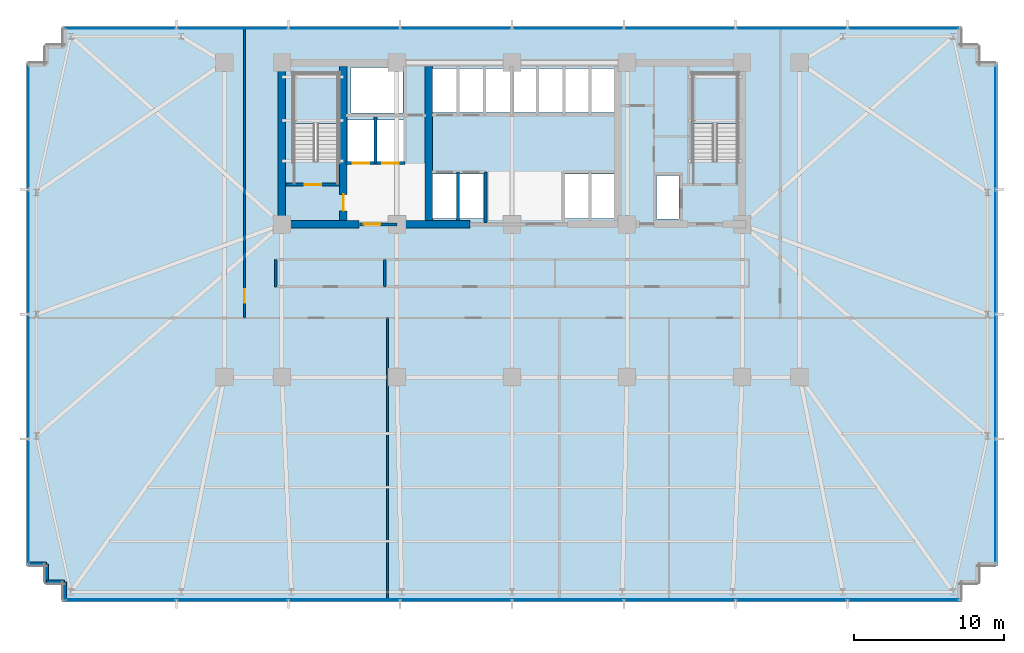
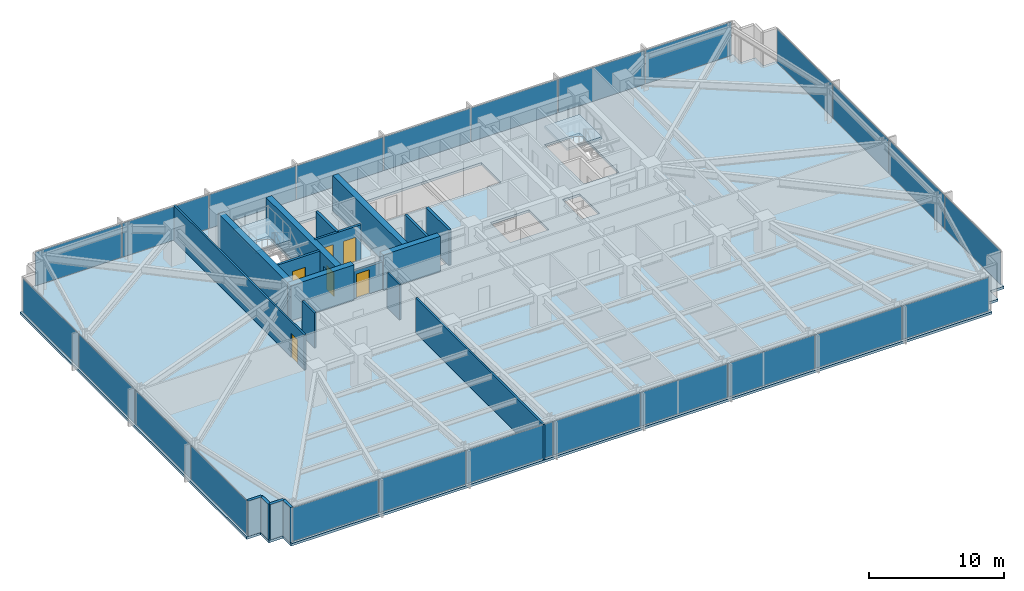
# One storey, part 24 of 33: 24 plates, 19 walls, 6 doors, 3 slabs, 6 openings, 6 elements without a shape of their own.
"""IFC4 building model written with IfcOpenShell, lengths in metres."""

from ifc_helpers import new_model, si_unit, direction, frame, frame_2d, origin, origin_2d, place, context, subcontext, project, spatial, polyline, rectangle, outline, extrude, material, layer, layer_set, type_object, element, fill, aggregate, save


model = new_model("IFC4")

# Units and contexts
model_context = context("Model", 3, precision=1e-05, world=origin(), true_north=direction((0.0, 1.0)))
body_context = subcontext(model_context, "Body", "Model", "MODEL_VIEW")
ifc_project = project(units=[si_unit("LENGTHUNIT", "METRE"), si_unit("AREAUNIT", "SQUARE_METRE"), si_unit("VOLUMEUNIT", "CUBIC_METRE"), si_unit("PLANEANGLEUNIT", "RADIAN"), si_unit("MASSUNIT", "GRAM", prefix="KILO")], contexts=[model_context])

# Site, building, storey
site_placement = place(None, origin())
site = spatial("IfcSite", under=ifc_project, at=site_placement, CompositionType="ELEMENT")
building_placement = place(site_placement, origin())
building = spatial("IfcBuilding", under=site, at=building_placement, Name="Yelkora Congress Tower", CompositionType="ELEMENT")
storey_placement = place(building_placement, frame((0.0, 0.0, 64.39990234375)))
storey = spatial("IfcBuildingStorey", under=building, at=storey_placement, Name="L16", CompositionType="ELEMENT", Elevation=64.39990234375)

# Curtain wall, plates
ifc_material_1 = material(Name="Anodised aluminium and insulated glass", Category="aluminium")
curtain_wall_type = type_object("IfcCurtainWallType", Name="CW-SYS-B1", PredefinedType="NOTDEFINED", material=ifc_material_1)
curtain_wall_1_placement = place(storey_placement, origin())
curtain_wall_1 = element("IfcCurtainWall", 1, at=curtain_wall_1_placement, inside=storey, type_object=curtain_wall_type, Name="L16 Unitised Curtain Wall 5", PredefinedType="NOTDEFINED")
ifc_material_2 = material(Name="Solar-control low-E glass unit B1", Category="glass")
ifc_layer_1 = layer(ifc_material_2, 0.0400390625)
ifc_layer_set_1 = layer_set([ifc_layer_1], Name="Solar-control low-E glass unit B1")
plate_type = type_object("IfcPlateType", Name="PLT-PN-B1", PredefinedType="CURTAIN_PANEL", material=ifc_layer_set_1)
plate_1_placement = place(storey_placement, frame((6.139892578125, 16.923828125, 0.06494140625), z_axis=(0.0, 0.0, 1.0), x_axis=(0.0, 1.0, 0.0)))
plate_1 = element("IfcPlate", 2, at=plate_1_placement, type_object=plate_type, Name="CW-B1 panel 1.1", PredefinedType="CURTAIN_PANEL", context=body_context, shape_type="SweptSolid", body=[
    extrude(rectangle(XDim=8.217529296875, YDim=0.0400390625, at=origin_2d()), origin(), (0.0, 0.0, 1.0), 3.050048828125),
])
plate_2_placement = place(storey_placement, frame((6.139892578125, 25.235107421875, 0.06494140625), z_axis=(0.0, 0.0, 1.0), x_axis=(0.0, 1.0, 0.0)))
plate_2 = element("IfcPlate", 3, at=plate_2_placement, type_object=plate_type, Name="CW-B1 panel 2.1", PredefinedType="CURTAIN_PANEL", context=body_context, shape_type="SweptSolid", body=[
    extrude(rectangle(XDim=8.2548828125, YDim=0.0400390625, at=origin_2d()), origin(), (0.0, 0.0, 1.0), 3.050048828125),
])
plate_3_placement = place(storey_placement, frame((6.139892578125, 33.56494140625, 0.06494140625), z_axis=(0.0, 0.0, 1.0), x_axis=(0.0, 1.0, 0.0)))
plate_3 = element("IfcPlate", 4, at=plate_3_placement, type_object=plate_type, Name="CW-B1 panel 3.1", PredefinedType="CURTAIN_PANEL", context=body_context, shape_type="SweptSolid", body=[
    extrude(rectangle(XDim=8.2548828125, YDim=0.0400390625, at=origin_2d()), origin(), (0.0, 0.0, 1.0), 3.050048828125),
])
plate_4_placement = place(storey_placement, frame((6.139892578125, 41.876220703125, 0.06494140625), z_axis=(0.0, 0.0, 1.0), x_axis=(0.0, 1.0, 0.0)))
plate_4 = element("IfcPlate", 5, at=plate_4_placement, type_object=plate_type, Name="CW-B1 panel 4.1", PredefinedType="CURTAIN_PANEL", context=body_context, shape_type="SweptSolid", body=[
    extrude(rectangle(XDim=8.217529296875, YDim=0.0400390625, at=origin_2d()), origin(), (0.0, 0.0, 1.0), 3.050048828125),
])
aggregate(curtain_wall_1, [plate_1, plate_2, plate_3, plate_4])

curtain_wall_2_placement = place(storey_placement, origin())
curtain_wall_2 = element("IfcCurtainWall", 6, at=curtain_wall_2_placement, inside=storey, type_object=curtain_wall_type, Name="L16 Unitised Curtain Wall 10", PredefinedType="NOTDEFINED")
plate_5_placement = place(storey_placement, frame((12.291259765625, 48.4599609375, 0.06494140625), z_axis=(0.0, 0.0, 1.0), x_axis=(1.0, 0.0, 0.0)))
plate_5 = element("IfcPlate", 7, at=plate_5_placement, type_object=plate_type, Name="CW-B1 panel 1.1", PredefinedType="CURTAIN_PANEL", context=body_context, shape_type="SweptSolid", body=[
    extrude(rectangle(XDim=7.3525390625, YDim=0.0400390625, at=origin_2d()), origin(), (0.0, 0.0, 1.0), 3.050048828125),
])
plate_6_placement = place(storey_placement, frame((19.737548828125, 48.4599609375, 0.06494140625), z_axis=(0.0, 0.0, 1.0), x_axis=(1.0, 0.0, 0.0)))
plate_6 = element("IfcPlate", 8, at=plate_6_placement, type_object=plate_type, Name="CW-B1 panel 2.1", PredefinedType="CURTAIN_PANEL", context=body_context, shape_type="SweptSolid", body=[
    extrude(rectangle(XDim=7.389892578125, YDim=0.0400390625, at=origin_2d()), origin(), (0.0, 0.0, 1.0), 3.050048828125),
])
plate_7_placement = place(storey_placement, frame((27.202392578125, 48.4599609375, 0.06494140625), z_axis=(0.0, 0.0, 1.0), x_axis=(1.0, 0.0, 0.0)))
plate_7 = element("IfcPlate", 9, at=plate_7_placement, type_object=plate_type, Name="CW-B1 panel 3.1", PredefinedType="CURTAIN_PANEL", context=body_context, shape_type="SweptSolid", body=[
    extrude(rectangle(XDim=7.389892578125, YDim=0.0400390625, at=origin_2d()), origin(), (0.0, 0.0, 1.0), 3.050048828125),
])
plate_8_placement = place(storey_placement, frame((34.66748046875, 48.4599609375, 0.06494140625), z_axis=(0.0, 0.0, 1.0), x_axis=(1.0, 0.0, 0.0)))
plate_8 = element("IfcPlate", 10, at=plate_8_placement, type_object=plate_type, Name="CW-B1 panel 4.1", PredefinedType="CURTAIN_PANEL", context=body_context, shape_type="SweptSolid", body=[
    extrude(rectangle(XDim=7.389892578125, YDim=0.0400390625, at=origin_2d()), origin(), (0.0, 0.0, 1.0), 3.050048828125),
])
plate_9_placement = place(storey_placement, frame((42.132568359375, 48.4599609375, 0.06494140625), z_axis=(0.0, 0.0, 1.0), x_axis=(1.0, 0.0, 0.0)))
plate_9 = element("IfcPlate", 11, at=plate_9_placement, type_object=plate_type, Name="CW-B1 panel 5.1", PredefinedType="CURTAIN_PANEL", context=body_context, shape_type="SweptSolid", body=[
    extrude(rectangle(XDim=7.389892578125, YDim=0.0400390625, at=origin_2d()), origin(), (0.0, 0.0, 1.0), 3.050048828125),
])
plate_10_placement = place(storey_placement, frame((49.597412109375, 48.4599609375, 0.06494140625), z_axis=(0.0, 0.0, 1.0), x_axis=(1.0, 0.0, 0.0)))
plate_10 = element("IfcPlate", 12, at=plate_10_placement, type_object=plate_type, Name="CW-B1 panel 6.1", PredefinedType="CURTAIN_PANEL", context=body_context, shape_type="SweptSolid", body=[
    extrude(rectangle(XDim=7.389892578125, YDim=0.0400390625, at=origin_2d()), origin(), (0.0, 0.0, 1.0), 3.050048828125),
])
plate_11_placement = place(storey_placement, frame((57.0625, 48.4599609375, 0.06494140625), z_axis=(0.0, 0.0, 1.0), x_axis=(1.0, 0.0, 0.0)))
plate_11 = element("IfcPlate", 13, at=plate_11_placement, type_object=plate_type, Name="CW-B1 panel 7.1", PredefinedType="CURTAIN_PANEL", context=body_context, shape_type="SweptSolid", body=[
    extrude(rectangle(XDim=7.389892578125, YDim=0.0400390625, at=origin_2d()), origin(), (0.0, 0.0, 1.0), 3.050048828125),
])
plate_12_placement = place(storey_placement, frame((64.5087890625, 48.4599609375, 0.06494140625), z_axis=(0.0, 0.0, 1.0), x_axis=(1.0, 0.0, 0.0)))
plate_12 = element("IfcPlate", 14, at=plate_12_placement, type_object=plate_type, Name="CW-B1 panel 8.1", PredefinedType="CURTAIN_PANEL", context=body_context, shape_type="SweptSolid", body=[
    extrude(rectangle(XDim=7.3525390625, YDim=0.0400390625, at=origin_2d()), origin(), (0.0, 0.0, 1.0), 3.050048828125),
])
aggregate(curtain_wall_2, [plate_5, plate_6, plate_7, plate_8, plate_9, plate_10, plate_11, plate_12])

curtain_wall_3_placement = place(storey_placement, origin())
curtain_wall_3 = element("IfcCurtainWall", 15, at=curtain_wall_3_placement, inside=storey, type_object=curtain_wall_type, Name="L16 Unitised Curtain Wall 15", PredefinedType="NOTDEFINED")
plate_13_placement = place(storey_placement, frame((70.659912109375, 41.876220703125, 0.06494140625), z_axis=(0.0, 0.0, 1.0), x_axis=(0.0, -1.0, 0.0)))
plate_13 = element("IfcPlate", 16, at=plate_13_placement, type_object=plate_type, Name="CW-B1 panel 1.1", PredefinedType="CURTAIN_PANEL", context=body_context, shape_type="SweptSolid", body=[
    extrude(rectangle(XDim=8.217529296875, YDim=0.0400390625, at=origin_2d()), origin(), (0.0, 0.0, 1.0), 3.050048828125),
])
plate_14_placement = place(storey_placement, frame((70.659912109375, 33.56494140625, 0.06494140625), z_axis=(0.0, 0.0, 1.0), x_axis=(0.0, -1.0, 0.0)))
plate_14 = element("IfcPlate", 17, at=plate_14_placement, type_object=plate_type, Name="CW-B1 panel 2.1", PredefinedType="CURTAIN_PANEL", context=body_context, shape_type="SweptSolid", body=[
    extrude(rectangle(XDim=8.2548828125, YDim=0.0400390625, at=origin_2d()), origin(), (0.0, 0.0, 1.0), 3.050048828125),
])
plate_15_placement = place(storey_placement, frame((70.659912109375, 25.235107421875, 0.06494140625), z_axis=(0.0, 0.0, 1.0), x_axis=(0.0, -1.0, 0.0)))
plate_15 = element("IfcPlate", 18, at=plate_15_placement, type_object=plate_type, Name="CW-B1 panel 3.1", PredefinedType="CURTAIN_PANEL", context=body_context, shape_type="SweptSolid", body=[
    extrude(rectangle(XDim=8.2548828125, YDim=0.0400390625, at=origin_2d()), origin(), (0.0, 0.0, 1.0), 3.050048828125),
])
plate_16_placement = place(storey_placement, frame((70.659912109375, 16.923828125, 0.06494140625), z_axis=(0.0, 0.0, 1.0), x_axis=(0.0, -1.0, 0.0)))
plate_16 = element("IfcPlate", 19, at=plate_16_placement, type_object=plate_type, Name="CW-B1 panel 4.1", PredefinedType="CURTAIN_PANEL", context=body_context, shape_type="SweptSolid", body=[
    extrude(rectangle(XDim=8.217529296875, YDim=0.0400390625, at=origin_2d()), origin(), (0.0, 0.0, 1.0), 3.050048828125),
])
aggregate(curtain_wall_3, [plate_13, plate_14, plate_15, plate_16])

curtain_wall_4_placement = place(storey_placement, origin())
curtain_wall_4 = element("IfcCurtainWall", 20, at=curtain_wall_4_placement, inside=storey, type_object=curtain_wall_type, Name="L16 Unitised Curtain Wall 20", PredefinedType="NOTDEFINED")
plate_17_placement = place(storey_placement, frame((64.5087890625, 10.340087890625, 0.06494140625), z_axis=(0.0, 0.0, 1.0), x_axis=(-1.0, 0.0, 0.0)))
plate_17 = element("IfcPlate", 21, at=plate_17_placement, type_object=plate_type, Name="CW-B1 panel 1.1", PredefinedType="CURTAIN_PANEL", context=body_context, shape_type="SweptSolid", body=[
    extrude(rectangle(XDim=7.3525390625, YDim=0.0400390625, at=origin_2d()), origin(), (0.0, 0.0, 1.0), 3.050048828125),
])
plate_18_placement = place(storey_placement, frame((57.0625, 10.340087890625, 0.06494140625), z_axis=(0.0, 0.0, 1.0), x_axis=(-1.0, 0.0, 0.0)))
plate_18 = element("IfcPlate", 22, at=plate_18_placement, type_object=plate_type, Name="CW-B1 panel 2.1", PredefinedType="CURTAIN_PANEL", context=body_context, shape_type="SweptSolid", body=[
    extrude(rectangle(XDim=7.389892578125, YDim=0.0400390625, at=origin_2d()), origin(), (0.0, 0.0, 1.0), 3.050048828125),
])
plate_19_placement = place(storey_placement, frame((49.597412109375, 10.340087890625, 0.06494140625), z_axis=(0.0, 0.0, 1.0), x_axis=(-1.0, 0.0, 0.0)))
plate_19 = element("IfcPlate", 23, at=plate_19_placement, type_object=plate_type, Name="CW-B1 panel 3.1", PredefinedType="CURTAIN_PANEL", context=body_context, shape_type="SweptSolid", body=[
    extrude(rectangle(XDim=7.389892578125, YDim=0.0400390625, at=origin_2d()), origin(), (0.0, 0.0, 1.0), 3.050048828125),
])
plate_20_placement = place(storey_placement, frame((42.132568359375, 10.340087890625, 0.06494140625), z_axis=(0.0, 0.0, 1.0), x_axis=(-1.0, 0.0, 0.0)))
plate_20 = element("IfcPlate", 24, at=plate_20_placement, type_object=plate_type, Name="CW-B1 panel 4.1", PredefinedType="CURTAIN_PANEL", context=body_context, shape_type="SweptSolid", body=[
    extrude(rectangle(XDim=7.389892578125, YDim=0.0400390625, at=origin_2d()), origin(), (0.0, 0.0, 1.0), 3.050048828125),
])
plate_21_placement = place(storey_placement, frame((34.66748046875, 10.340087890625, 0.06494140625), z_axis=(0.0, 0.0, 1.0), x_axis=(-1.0, 0.0, 0.0)))
plate_21 = element("IfcPlate", 25, at=plate_21_placement, type_object=plate_type, Name="CW-B1 panel 5.1", PredefinedType="CURTAIN_PANEL", context=body_context, shape_type="SweptSolid", body=[
    extrude(rectangle(XDim=7.389892578125, YDim=0.0400390625, at=origin_2d()), origin(), (0.0, 0.0, 1.0), 3.050048828125),
])
plate_22_placement = place(storey_placement, frame((27.202392578125, 10.340087890625, 0.06494140625), z_axis=(0.0, 0.0, 1.0), x_axis=(-1.0, 0.0, 0.0)))
plate_22 = element("IfcPlate", 26, at=plate_22_placement, type_object=plate_type, Name="CW-B1 panel 6.1", PredefinedType="CURTAIN_PANEL", context=body_context, shape_type="SweptSolid", body=[
    extrude(rectangle(XDim=7.389892578125, YDim=0.0400390625, at=origin_2d()), origin(), (0.0, 0.0, 1.0), 3.050048828125),
])
plate_23_placement = place(storey_placement, frame((19.737548828125, 10.340087890625, 0.06494140625), z_axis=(0.0, 0.0, 1.0), x_axis=(-1.0, 0.0, 0.0)))
plate_23 = element("IfcPlate", 27, at=plate_23_placement, type_object=plate_type, Name="CW-B1 panel 7.1", PredefinedType="CURTAIN_PANEL", context=body_context, shape_type="SweptSolid", body=[
    extrude(rectangle(XDim=7.389892578125, YDim=0.0400390625, at=origin_2d()), origin(), (0.0, 0.0, 1.0), 3.050048828125),
])
plate_24_placement = place(storey_placement, frame((12.291259765625, 10.340087890625, 0.06494140625), z_axis=(0.0, 0.0, 1.0), x_axis=(-1.0, 0.0, 0.0)))
plate_24 = element("IfcPlate", 28, at=plate_24_placement, type_object=plate_type, Name="CW-B1 panel 8.1", PredefinedType="CURTAIN_PANEL", context=body_context, shape_type="SweptSolid", body=[
    extrude(rectangle(XDim=7.3525390625, YDim=0.0400390625, at=origin_2d()), origin(), (0.0, 0.0, 1.0), 3.050048828125),
])
aggregate(curtain_wall_4, [plate_17, plate_18, plate_19, plate_20, plate_21, plate_22, plate_23, plate_24])

# Stair, slab
ifc_material_3 = material(Name="Concrete C40/50", Category="concrete")
stair_type = type_object("IfcStairType", Name="STAIR-HT-1420-R20-170", PredefinedType="HALF_TURN_STAIR", material=ifc_material_3)
stair_1_placement = place(storey_placement, origin())
stair_1 = element("IfcStair", 29, at=stair_1_placement, inside=storey, type_object=stair_type, Name="West Core Protected Exit Stair ST-01 (L16)", PredefinedType="HALF_TURN_STAIR")
ifc_layer_2 = layer(ifc_material_3, 0.219970703125)
ifc_layer_set_2 = layer_set([ifc_layer_2], Name="Concrete C40/50")
slab_type_1 = type_object("IfcSlabType", Name="SLAB-LANDING-220", PredefinedType="LANDING", material=ifc_layer_set_2)
slab_1_placement = place(storey_placement, frame((0.0, 0.0, 1.47998046875)))
slab_1 = element("IfcSlab", 30, at=slab_1_placement, type_object=slab_type_1, Name="ST-01 L16 Half Landing 1", PredefinedType="LANDING", context=body_context, shape_type="SweptSolid", body=[
    extrude(outline(polyline([(26.820068359375, 42.1201171875), (26.820068359375, 45.469970703125), (23.820068359375, 45.469970703125), (23.820068359375, 42.1201171875), (26.820068359375, 42.1201171875)])), origin(), (0.0, 0.0, 1.0), 0.22021484375),
])
aggregate(stair_1, [slab_1])

stair_2_placement = place(storey_placement, origin())
stair_2 = element("IfcStair", 31, at=stair_2_placement, inside=storey, type_object=stair_type, Name="East Core Protected Exit Stair ST-02 (L16)", PredefinedType="HALF_TURN_STAIR")
slab_2_placement = place(storey_placement, frame((0.0, 0.0, 1.47998046875)))
slab_2 = element("IfcSlab", 32, at=slab_2_placement, type_object=slab_type_1, Name="ST-02 L16 Half Landing 1", PredefinedType="LANDING", context=body_context, shape_type="SweptSolid", body=[
    extrude(outline(polyline([(53.4599609375, 42.1201171875), (53.4599609375, 45.469970703125), (50.4599609375, 45.469970703125), (50.4599609375, 42.1201171875), (53.4599609375, 42.1201171875)])), origin(), (0.0, 0.0, 1.0), 0.22021484375),
])
aggregate(stair_2, [slab_2])

# Slab
ifc_layer_3 = layer(ifc_material_3, 0.219970703125)
ifc_layer_set_3 = layer_set([ifc_layer_3], Name="Concrete C40/50")
slab_type_2 = type_object("IfcSlabType", Name="SLAB-TWR-220", PredefinedType="FLOOR", material=ifc_layer_set_3)
slab_3_placement = place(storey_placement, frame((0.0, 0.0, -0.219970703125)))
element("IfcSlab", 33, at=slab_3_placement, inside=storey, type_object=slab_type_2, Name="L16 Structural Floor Slab", PredefinedType="FLOOR", context=body_context, shape_type="SweptSolid", body=[
    extrude(outline(polyline([(8.39990234375, 10.199951171875), (68.39990234375, 10.199951171875), (68.39990234375, 11.39990234375), (69.60009765625, 11.39990234375), (69.60009765625, 12.60009765625), (70.800048828125, 12.60009765625), (70.800048828125, 46.199951171875), (69.60009765625, 46.199951171875), (69.60009765625, 47.39990234375), (68.39990234375, 47.39990234375), (68.39990234375, 48.60009765625), (8.39990234375, 48.60009765625), (8.39990234375, 47.39990234375), (7.199951171875, 47.39990234375), (7.199951171875, 46.199951171875), (6.0, 46.199951171875), (6.0, 12.60009765625), (7.199951171875, 12.60009765625), (7.199951171875, 11.39990234375), (8.39990234375, 11.39990234375), (8.39990234375, 10.199951171875)]), holes=[polyline([(23.820068359375, 39.6298828125), (26.820068359375, 39.6298828125), (26.820068359375, 45.469970703125), (23.820068359375, 45.469970703125), (23.820068359375, 39.6298828125)]), polyline([(50.4599609375, 39.6298828125), (53.4599609375, 39.6298828125), (53.4599609375, 45.469970703125), (50.4599609375, 45.469970703125), (50.4599609375, 39.6298828125)]), polyline([(48.050048828125, 35.75), (49.550048828125, 35.75), (49.550048828125, 38.64990234375), (48.050048828125, 38.64990234375), (48.050048828125, 35.75)]), polyline([(41.949951171875, 35.800048828125), (45.25, 35.800048828125), (45.25, 38.75), (41.949951171875, 38.75), (41.949951171875, 35.800048828125)]), polyline([(33.10009765625, 42.85009765625), (45.25, 42.85009765625), (45.25, 45.800048828125), (33.10009765625, 45.800048828125), (33.10009765625, 42.85009765625)]), polyline([(33.10009765625, 35.800048828125), (36.5, 35.800048828125), (36.5, 38.75), (33.10009765625, 38.75), (33.10009765625, 35.800048828125)]), polyline([(27.419921875, 39.60009765625), (31.179931640625, 39.60009765625), (31.179931640625, 42.35009765625), (27.419921875, 42.35009765625), (27.419921875, 39.60009765625)]), polyline([(27.64990234375, 42.820068359375), (31.1201171875, 42.820068359375), (31.1201171875, 45.8798828125), (27.64990234375, 45.8798828125), (27.64990234375, 42.820068359375)])]), origin(), (0.0, 0.0, 1.0), 0.219970703125),
])

# Walls
ifc_material_4 = material(Name="Concrete C60/75", Category="concrete")
ifc_layer_4 = layer(ifc_material_4, 0.5)
ifc_layer_set_4 = layer_set([ifc_layer_4], Name="Concrete C60/75")
wall_type_1 = type_object("IfcWallType", Name="WALL-CORE-INT-500", PredefinedType="SHEAR", material=ifc_layer_set_4)
wall_1_placement = place(storey_placement, frame((22.7900390625, 35.39990234375, 0.0), z_axis=(0.0, 0.0, 1.0), x_axis=(1.0, 0.0, 0.0)))
element("IfcWall", 34, at=wall_1_placement, inside=storey, type_object=wall_type_1, Name="L16 Rear Core South-West Shear Wall", PredefinedType="SHEAR", context=body_context, shape_type="SweptSolid", body=[
    extrude(rectangle(XDim=5.409912109375, YDim=0.5, at=frame_2d((2.705078125, 0.0))), origin(), (0.0, 0.0, 1.0), 3.18017578125),
])
wall_2_placement = place(storey_placement, frame((30.719970703125, 35.39990234375, 0.0), z_axis=(0.0, 0.0, 1.0), x_axis=(1.0, 0.0, 0.0)))
element("IfcWall", 35, at=wall_2_placement, inside=storey, type_object=wall_type_1, Name="L16 Rear Core South-Center Shear Pier", PredefinedType="SHEAR", context=body_context, shape_type="SweptSolid", body=[
    extrude(rectangle(XDim=4.880126953125, YDim=0.5, at=frame_2d((2.43994140625, 0.0))), origin(), (0.0, 0.0, 1.0), 3.18017578125),
])
wall_3_placement = place(storey_placement, frame((23.0400390625, 35.64990234375, 0.0), z_axis=(0.0, 0.0, 1.0), x_axis=(0.0, 1.0, 0.0)))
element("IfcWall", 36, at=wall_3_placement, inside=storey, type_object=wall_type_1, Name="L16 Rear Core Cross Shear Wall W", PredefinedType="SHEAR", context=body_context, shape_type="SweptSolid", body=[
    extrude(rectangle(XDim=10.300048828125, YDim=0.5, at=frame_2d((5.14990234375, 0.0))), origin(), (0.0, 0.0, 1.0), 3.18017578125),
])

# Wall, opening, door
wall_4_placement = place(storey_placement, frame((27.14990234375, 35.64990234375, 0.0), z_axis=(0.0, 0.0, 1.0), x_axis=(0.0, 1.0, 0.0)))
wall_4 = element("IfcWall", 37, at=wall_4_placement, inside=storey, type_object=wall_type_1, Name="L16 Rear Core Cross Shear Wall C1", PredefinedType="SHEAR", context=body_context, shape_type="SweptSolid", body=[
    extrude(rectangle(XDim=10.300048828125, YDim=0.5, at=frame_2d((5.14990234375, 0.0))), origin(), (0.0, 0.0, 1.0), 3.18017578125),
])
opening_1_placement = place(wall_4_placement, frame((0.64990234375, 0.0, 0.0)))
opening_1 = element("IfcOpeningElement", 38, at=opening_1_placement, cuts=wall_4, Name="Opening DR-110F9", PredefinedType="OPENING", context=body_context, shape_type="SweptSolid", body=[
    extrude(rectangle(XDim=1.10009765625, YDim=2.14990234375, at=frame_2d((0.550048828125, 1.074951171875))), frame((0.0, 0.260009765625, 0.0), z_axis=(0.0, -1.0, 0.0), x_axis=(1.0, 0.0, 0.0)), (0.0, 0.0, 1.0), 0.52001953125),
])
ifc_material_5 = material(Name="Galvanised steel fire door leaf", Category="steel")
door_type_1 = type_object("IfcDoorType", Name="DOOR-FD90-1100", OperationType="NOTDEFINED", PredefinedType="DOOR", material=ifc_material_5)
door_1_placement = place(opening_1_placement, origin())
door_1 = element("IfcDoor", 39, at=door_1_placement, inside=storey, type_object=door_type_1, Name="L16 Firefighting Stair Transfer Door", OperationType="SINGLE_SWING_LEFT", OverallHeight=2.14990234375, OverallWidth=1.10009765625, PredefinedType="DOOR", context=body_context, shape_type="SweptSolid", body=[
    extrude(rectangle(XDim=1.10009765625, YDim=2.14990234375, at=frame_2d((0.550048828125, 1.074951171875))), frame((0.0, 0.02490234375, 0.0), z_axis=(0.0, -1.0, 0.0), x_axis=(1.0, 0.0, 0.0)), (0.0, 0.0, 1.0), 0.050048828125),
])
fill(opening_1, door_1)

# Walls
wall_5_placement = place(storey_placement, frame((32.85009765625, 35.64990234375, 0.0), z_axis=(0.0, 0.0, 1.0), x_axis=(0.0, 1.0, 0.0)))
element("IfcWall", 40, at=wall_5_placement, inside=storey, type_object=wall_type_1, Name="L16 Rear Core Cross Shear Wall C2", PredefinedType="SHEAR", context=body_context, shape_type="SweptSolid", body=[
    extrude(rectangle(XDim=10.300048828125, YDim=0.5, at=frame_2d((5.14990234375, 0.0))), origin(), (0.0, 0.0, 1.0), 3.18017578125),
])
ifc_layer_5 = layer(ifc_material_3, 0.239990234375)
ifc_layer_set_5 = layer_set([ifc_layer_5], Name="Concrete C40/50")
wall_type_2 = type_object("IfcWallType", Name="WALL-EXT-LIMESTONE-240", PredefinedType="SOLIDWALL", material=ifc_layer_set_5)
for number, where, z_axis, x_axis, name in (
    (41, (8.5400390625, 10.340087890625, 0.0), (0.0, 0.0, 1.0), (0.0, 1.0, 0.0), "L16 Serrated Corner Limestone Pier 1"),
    (42, (8.5400390625, 11.5400390625, 0.0), (0.0, 0.0, 1.0), (-1.0, 0.0, 0.0), "L16 Serrated Corner Limestone Pier 2"),
    (43, (7.340087890625, 11.5400390625, 0.0), (0.0, 0.0, 1.0), (0.0, 1.0, 0.0), "L16 Serrated Corner Limestone Pier 3"),
):
    element("IfcWall", number, at=place(storey_placement, frame(where, z_axis=z_axis, x_axis=x_axis)), inside=storey, type_object=wall_type_2, Name=name, PredefinedType="SOLIDWALL", context=body_context, shape_type="SweptSolid", body=[
        extrude(rectangle(XDim=1.199951171875, YDim=0.239990234375, at=frame_2d((0.60009765625, 0.0))), origin(), (0.0, 0.0, 1.0), 3.18017578125),
    ])
wall_6_placement = place(storey_placement, frame((7.340087890625, 12.739990234375, 0.0), z_axis=(0.0, 0.0, 1.0), x_axis=(-1.0, 0.0, 0.0)))
element("IfcWall", 44, at=wall_6_placement, inside=storey, type_object=wall_type_2, Name="L16 Serrated Corner Limestone Pier 4", PredefinedType="SOLIDWALL", context=body_context, shape_type="SweptSolid", body=[
    extrude(rectangle(XDim=1.2001953125, YDim=0.239990234375, at=frame_2d((0.60009765625, 0.0))), origin(), (0.0, 0.0, 1.0), 3.18017578125),
])
ifc_material_6 = material(Name="Acoustic metal-stud gypsum partition", Category="gypsum")
ifc_layer_6 = layer(ifc_material_6, 0.14990234375)
ifc_layer_set_6 = layer_set([ifc_layer_6], Name="Acoustic metal-stud gypsum partition")
wall_type_3 = type_object("IfcWallType", Name="WALL-INT-150-NR", PredefinedType="PARTITIONING", material=ifc_layer_set_6)
wall_7_placement = place(storey_placement, frame((30.092041015625, 10.280029296875, 0.0), z_axis=(0.0, 0.0, 1.0), x_axis=(0.0, 1.0, 0.0)))
element("IfcWall", 45, at=wall_7_placement, inside=storey, type_object=wall_type_3, Name="L16 Partition Wall 31", PredefinedType="PARTITIONING", context=body_context, shape_type="SweptSolid", body=[
    extrude(rectangle(XDim=18.889892578125, YDim=0.14990234375, at=frame_2d((9.44482421875, 0.0))), origin(), (0.0, 0.0, 1.0), 3.18017578125),
])

# Wall, opening, door
wall_8_placement = place(storey_placement, frame((20.550048828125, 29.14990234375, 0.0), z_axis=(0.0, 0.0, 1.0), x_axis=(0.0, 1.0, 0.0)))
wall_8 = element("IfcWall", 46, at=wall_8_placement, inside=storey, type_object=wall_type_3, Name="L16 Partition Wall 35", PredefinedType="PARTITIONING", context=body_context, shape_type="SweptSolid", body=[
    extrude(rectangle(XDim=19.3701171875, YDim=0.14990234375, at=frame_2d((9.68505859375, 0.0))), origin(), (0.0, 0.0, 1.0), 3.18017578125),
])
opening_2_placement = place(wall_8_placement, frame((1.030029296875, 0.0, 0.0)))
opening_2 = element("IfcOpeningElement", 47, at=opening_2_placement, cuts=wall_8, Name="Opening DR-090N", PredefinedType="OPENING", context=body_context, shape_type="SweptSolid", body=[
    extrude(rectangle(XDim=0.89990234375, YDim=2.14990234375, at=frame_2d((0.449951171875, 1.074951171875))), frame((0.0, 0.0849609375, 0.0), z_axis=(0.0, -1.0, 0.0), x_axis=(1.0, 0.0, 0.0)), (0.0, 0.0, 1.0), 0.169921875),
])
ifc_material_7 = material(Name="Moisture-resistant laminate door leaf", Category="wood")
door_type_2 = type_object("IfcDoorType", Name="DOOR-INT-900", OperationType="NOTDEFINED", PredefinedType="DOOR", material=ifc_material_7)
door_2_placement = place(opening_2_placement, origin())
door_2 = element("IfcDoor", 48, at=door_2_placement, inside=storey, type_object=door_type_2, Name="L16 W Wing Door", OperationType="SINGLE_SWING_LEFT", OverallHeight=2.14990234375, OverallWidth=0.89990234375, PredefinedType="DOOR", context=body_context, shape_type="SweptSolid", body=[
    extrude(rectangle(XDim=0.89990234375, YDim=2.14990234375, at=frame_2d((0.449951171875, 1.074951171875))), frame((0.0, 0.02490234375, 0.0), z_axis=(0.0, -1.0, 0.0), x_axis=(1.0, 0.0, 0.0)), (0.0, 0.0, 1.0), 0.050048828125),
])
fill(opening_2, door_2)

# Walls
for number, where, z_axis, x_axis, name in (
    (49, (22.6298828125, 31.22998046875, 0.0), (0.0, 0.0, 1.0), (0.0, 1.0, 0.0), "L16 Partition Wall 37"),
    (50, (29.90087890625, 31.22998046875, 0.0), (0.0, 0.0, 1.0), (0.0, 1.0, 0.0), "L16 Partition Wall 40"),
):
    element("IfcWall", number, at=place(storey_placement, frame(where, z_axis=z_axis, x_axis=x_axis)), inside=storey, type_object=wall_type_3, Name=name, PredefinedType="PARTITIONING", context=body_context, shape_type="SweptSolid", body=[
        extrude(rectangle(XDim=1.820068359375, YDim=0.14990234375, at=frame_2d((0.91015625, 0.0))), origin(), (0.0, 0.0, 1.0), 3.18017578125),
    ])

# Wall, opening, door
ifc_material_8 = material(Name="Autoclaved aerated concrete blockwork", Category="masonry")
ifc_layer_7 = layer(ifc_material_8, 0.199951171875)
ifc_layer_set_7 = layer_set([ifc_layer_7], Name="Autoclaved aerated concrete blockwork")
wall_type_4 = type_object("IfcWallType", Name="WALL-INT-200-R120", PredefinedType="PARTITIONING", material=ifc_layer_set_7)
wall_9_placement = place(storey_placement, frame((23.300048828125, 38.050048828125, 0.0), z_axis=(0.0, 0.0, 1.0), x_axis=(1.0, 0.0, 0.0)))
wall_9 = element("IfcWall", 51, at=wall_9_placement, inside=storey, type_object=wall_type_4, Name="L16 Stair ST-01 Enclosure Wall", PredefinedType="PARTITIONING", context=body_context, shape_type="SweptSolid", body=[
    extrude(rectangle(XDim=3.619873046875, YDim=0.199951171875, at=frame_2d((1.81005859375, 0.0))), origin(), (0.0, 0.0, 1.0), 3.18017578125),
])
opening_3_placement = place(wall_9_placement, frame((1.260009765625, 0.0, 0.0)))
opening_3 = element("IfcOpeningElement", 52, at=opening_3_placement, cuts=wall_9, Name="Opening DR-110F9", PredefinedType="OPENING", context=body_context, shape_type="SweptSolid", body=[
    extrude(rectangle(XDim=1.10009765625, YDim=2.14990234375, at=frame_2d((0.550048828125, 1.074951171875))), frame((0.0, 0.10986328125, 0.0), z_axis=(0.0, -1.0, 0.0), x_axis=(1.0, 0.0, 0.0)), (0.0, 0.0, 1.0), 0.219970703125),
])
door_3_placement = place(opening_3_placement, origin())
door_3 = element("IfcDoor", 53, at=door_3_placement, inside=storey, type_object=door_type_1, Name="L16 Stair ST-01 Entry Door", OperationType="SINGLE_SWING_LEFT", OverallHeight=2.14990234375, OverallWidth=1.10009765625, PredefinedType="DOOR", context=body_context, shape_type="SweptSolid", body=[
    extrude(rectangle(XDim=1.10009765625, YDim=2.14990234375, at=frame_2d((0.550048828125, 1.074951171875))), frame((0.0, 0.02490234375, 0.0), z_axis=(0.0, -1.0, 0.0), x_axis=(1.0, 0.0, 0.0)), (0.0, 0.0, 1.0), 0.050048828125),
])
fill(opening_3, door_3)

wall_10_placement = place(storey_placement, frame((28.219970703125, 35.39990234375, 0.0), z_axis=(0.0, 0.0, 1.0), x_axis=(1.0, 0.0, 0.0)))
wall_10 = element("IfcWall", 54, at=wall_10_placement, inside=storey, type_object=wall_type_4, Name="L16 Firefighting Lobby South Wall", PredefinedType="PARTITIONING", context=body_context, shape_type="SweptSolid", body=[
    extrude(rectangle(XDim=2.5, YDim=0.199951171875, at=frame_2d((1.25, 0.0))), origin(), (0.0, 0.0, 1.0), 2.47509765625),
])
opening_4_placement = place(wall_10_placement, frame((0.300048828125, 0.0, 0.0)))
opening_4 = element("IfcOpeningElement", 55, at=opening_4_placement, cuts=wall_10, Name="Opening DR-110F9", PredefinedType="OPENING", context=body_context, shape_type="SweptSolid", body=[
    extrude(rectangle(XDim=1.10009765625, YDim=2.14990234375, at=frame_2d((0.550048828125, 1.074951171875))), frame((0.0, 0.10986328125, 0.0), z_axis=(0.0, -1.0, 0.0), x_axis=(1.0, 0.0, 0.0)), (0.0, 0.0, 1.0), 0.219970703125),
])
door_4_placement = place(opening_4_placement, origin())
door_4 = element("IfcDoor", 56, at=door_4_placement, inside=storey, type_object=door_type_1, Name="L16 Firefighting Lobby Corridor Door", OperationType="SINGLE_SWING_RIGHT", OverallHeight=2.14990234375, OverallWidth=1.10009765625, PredefinedType="DOOR", context=body_context, shape_type="SweptSolid", body=[
    extrude(rectangle(XDim=1.10009765625, YDim=2.14990234375, at=frame_2d((0.550048828125, 1.074951171875))), frame((0.0, 0.02490234375, 0.0), z_axis=(0.0, -1.0, 0.0), x_axis=(1.0, 0.0, 0.0)), (0.0, 0.0, 1.0), 0.050048828125),
])
fill(opening_4, door_4)

# Wall, openings, doors
wall_11_placement = place(storey_placement, frame((27.320068359375, 39.47998046875, 0.0), z_axis=(0.0, 0.0, 1.0), x_axis=(1.0, 0.0, 0.0)))
wall_11 = element("IfcWall", 57, at=wall_11_placement, inside=storey, type_object=wall_type_4, Name="L16 Firefighting Lift Front Wall", PredefinedType="PARTITIONING", context=body_context, shape_type="SweptSolid", body=[
    extrude(rectangle(XDim=3.93994140625, YDim=0.199951171875, at=frame_2d((1.969970703125, 0.0))), origin(), (0.0, 0.0, 1.0), 3.18017578125),
])
opening_5_placement = place(wall_11_placement, frame((0.449951171875, 0.0, 0.0)))
opening_5 = element("IfcOpeningElement", 58, at=opening_5_placement, cuts=wall_11, Name="Opening LD-FF11", PredefinedType="OPENING", context=body_context, shape_type="SweptSolid", body=[
    extrude(rectangle(XDim=1.10009765625, YDim=2.199951171875, at=frame_2d((0.550048828125, 1.10009765625))), frame((0.0, 0.10986328125, 0.0), z_axis=(0.0, -1.0, 0.0), x_axis=(1.0, 0.0, 0.0)), (0.0, 0.0, 1.0), 0.219970703125),
])
opening_6_placement = place(wall_11_placement, frame((2.409912109375, 0.0, 0.0)))
opening_6 = element("IfcOpeningElement", 59, at=opening_6_placement, cuts=wall_11, Name="Opening LD-FF11", PredefinedType="OPENING", context=body_context, shape_type="SweptSolid", body=[
    extrude(rectangle(XDim=1.10009765625, YDim=2.199951171875, at=frame_2d((0.550048828125, 1.10009765625))), frame((0.0, 0.10986328125, 0.0), z_axis=(0.0, -1.0, 0.0), x_axis=(1.0, 0.0, 0.0)), (0.0, 0.0, 1.0), 0.219970703125),
])
ifc_material_9 = material(Name="Brushed stainless steel 316L landing door", Category="steel")
door_type_3 = type_object("IfcDoorType", Name="DOOR-LIFT-FF-1100", OperationType="DOUBLE_DOOR_SLIDING", PredefinedType="DOOR", material=ifc_material_9)
door_5_placement = place(opening_5_placement, origin())
door_5 = element("IfcDoor", 60, at=door_5_placement, inside=storey, type_object=door_type_3, Name="Lift Landing Door LF-FF1 L16", OperationType="DOUBLE_DOOR_SLIDING", OverallHeight=2.199951171875, OverallWidth=1.10009765625, PredefinedType="DOOR", context=body_context, shape_type="SweptSolid", body=[
    extrude(rectangle(XDim=1.10009765625, YDim=2.199951171875, at=frame_2d((0.550048828125, 1.10009765625))), frame((0.0, 0.02490234375, 0.0), z_axis=(0.0, -1.0, 0.0), x_axis=(1.0, 0.0, 0.0)), (0.0, 0.0, 1.0), 0.050048828125),
])
fill(opening_5, door_5)
door_6_placement = place(opening_6_placement, origin())
door_6 = element("IfcDoor", 61, at=door_6_placement, inside=storey, type_object=door_type_3, Name="Lift Landing Door LF-FF2 L16", OperationType="DOUBLE_DOOR_SLIDING", OverallHeight=2.199951171875, OverallWidth=1.10009765625, PredefinedType="DOOR", context=body_context, shape_type="SweptSolid", body=[
    extrude(rectangle(XDim=1.10009765625, YDim=2.199951171875, at=frame_2d((0.550048828125, 1.10009765625))), frame((0.0, 0.02490234375, 0.0), z_axis=(0.0, -1.0, 0.0), x_axis=(1.0, 0.0, 0.0)), (0.0, 0.0, 1.0), 0.050048828125),
])
fill(opening_6, door_6)

# Walls
wall_12_placement = place(storey_placement, frame((29.300048828125, 39.47998046875, 0.0), z_axis=(0.0, 0.0, 1.0), x_axis=(0.0, 1.0, 0.0)))
element("IfcWall", 62, at=wall_12_placement, inside=storey, type_object=wall_type_4, Name="L16 Partition Wall 4", PredefinedType="PARTITIONING", context=body_context, shape_type="SweptSolid", body=[
    extrude(rectangle(XDim=3.070068359375, YDim=0.199951171875, at=frame_2d((1.53515625, 0.0))), origin(), (0.0, 0.0, 1.0), 3.18017578125),
])
wall_13_placement = place(storey_placement, frame((34.800048828125, 35.64990234375, 0.0), z_axis=(0.0, 0.0, 1.0), x_axis=(0.0, 1.0, 0.0)))
element("IfcWall", 63, at=wall_13_placement, inside=storey, type_object=wall_type_4, Name="L16 Partition Wall 13", PredefinedType="PARTITIONING", context=body_context, shape_type="SweptSolid", body=[
    extrude(rectangle(XDim=3.25, YDim=0.199951171875, at=frame_2d((1.625, 0.0))), origin(), (0.0, 0.0, 1.0), 3.18017578125),
])
wall_14_placement = place(storey_placement, frame((36.6201171875, 35.5, 0.0), z_axis=(0.0, 0.0, 1.0), x_axis=(0.0, 1.0, 0.0)))
element("IfcWall", 64, at=wall_14_placement, inside=storey, type_object=wall_type_4, Name="L16 Partition Wall 15", PredefinedType="PARTITIONING", context=body_context, shape_type="SweptSolid", body=[
    extrude(rectangle(XDim=3.39990234375, YDim=0.199951171875, at=frame_2d((1.699951171875, 0.0))), origin(), (0.0, 0.0, 1.0), 3.18017578125),
])

save(model, "model.ifc")
